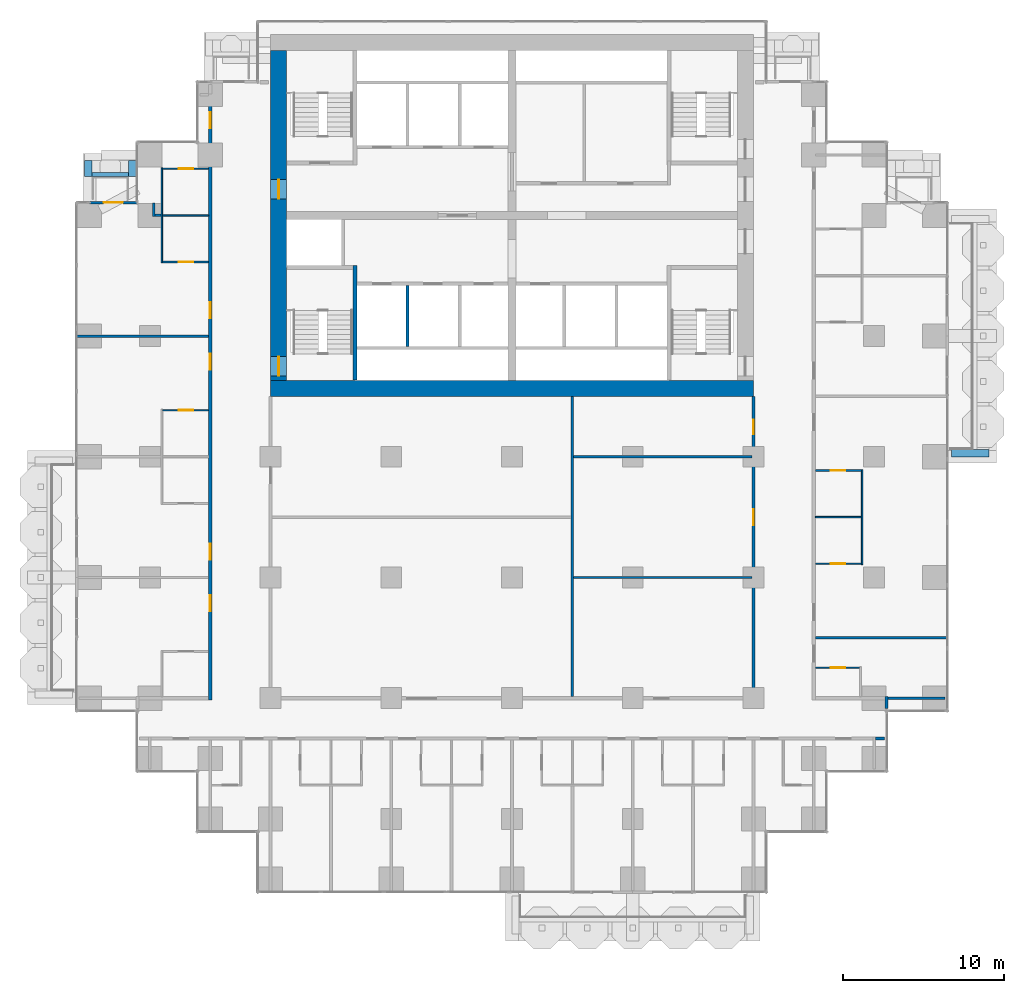
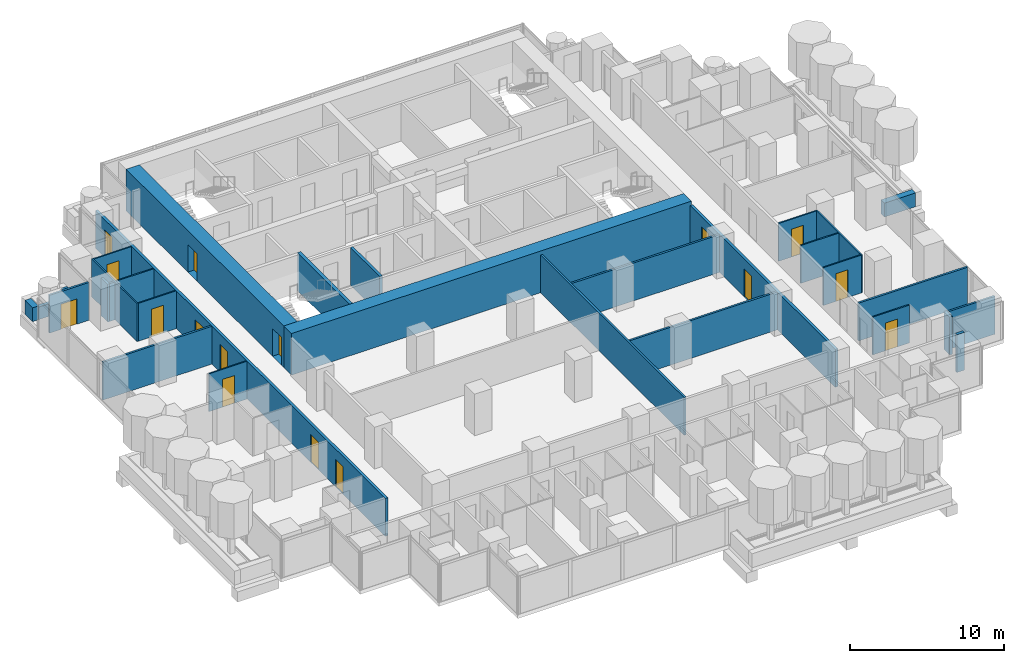
# One storey, part 13 of 19: 31 walls, 16 doors, 16 openings.
"""IFC4 building model written with IfcOpenShell, lengths in metres."""

from ifc_helpers import new_model, si_unit, direction, frame, frame_2d, origin, place, context, subcontext, project, spatial, rectangle, extrude, material, layer, layer_set, type_object, element, fill, save


model = new_model("IFC4")

# Units and contexts
model_context = context("Model", 3, precision=1e-05, world=origin(), true_north=direction((0.0, 1.0)))
body_context = subcontext(model_context, "Body", "Model", "MODEL_VIEW")
ifc_project = project(units=[si_unit("LENGTHUNIT", "METRE"), si_unit("AREAUNIT", "SQUARE_METRE"), si_unit("VOLUMEUNIT", "CUBIC_METRE"), si_unit("PLANEANGLEUNIT", "RADIAN"), si_unit("MASSUNIT", "GRAM", prefix="KILO")], contexts=[model_context])

# Site, building, storey
site_placement = place(None, origin())
site = spatial("IfcSite", under=ifc_project, at=site_placement, CompositionType="ELEMENT")
building_placement = place(site_placement, origin())
building = spatial("IfcBuilding", under=site, at=building_placement, Name="Pilkhan Gate Tower", CompositionType="ELEMENT")
storey_placement = place(building_placement, frame((0.0, 0.0, 72.5)))
storey = spatial("IfcBuildingStorey", under=building, at=storey_placement, Name="L16", CompositionType="ELEMENT", Elevation=72.5)

# Walls
ifc_material_1 = material(Name="Concrete C40/50", Category="concrete")
ifc_layer_1 = layer(ifc_material_1, 0.25)
ifc_layer_set_1 = layer_set([ifc_layer_1], Name="Balcony planter BP250")
wall_type_1 = type_object("IfcWallType", Name="Balcony planter BP250", PredefinedType="USERDEFINED", material=ifc_layer_set_1)
wall_1_placement = place(storey_placement, frame((48.89990234375, 85.02490234375, 0.0), z_axis=(0.0, 0.0, 1.0), x_axis=(1.0, 0.0, 0.0)))
element("IfcWall", 1, at=wall_1_placement, inside=storey, type_object=wall_type_1, Name="Balcony planter L16 N", ObjectType="BALCONY PLANTER", PredefinedType="USERDEFINED", context=body_context, shape_type="SweptSolid", body=[
    extrude(rectangle(XDim=2.280029296875, YDim=0.25, at=frame_2d((1.14013671875, 0.0))), origin(), (0.0, 0.0, 1.0), 1.0),
])
ifc_material_2 = material(Name="Board-marked Concrete C40/50", Category="concrete")
ifc_layer_2 = layer(ifc_material_2, 0.449951171875)
ifc_layer_set_2 = layer_set([ifc_layer_2], Name="Balcony planter lip BL450")
wall_type_2 = type_object("IfcWallType", Name="Balcony planter lip BL450", PredefinedType="USERDEFINED", material=ifc_layer_set_2)
wall_2_placement = place(storey_placement, frame((102.300048828125, 67.72509765625, 0.0), z_axis=(0.0, 0.0, 1.0), x_axis=(1.0, 0.0, 0.0)))
element("IfcWall", 2, at=wall_2_placement, inside=storey, type_object=wall_type_2, Name="Balcony planter L16 E", ObjectType="BALCONY PLANTER", PredefinedType="USERDEFINED", context=body_context, shape_type="SweptSolid", body=[
    extrude(rectangle(XDim=2.349853515625, YDim=0.449951171875, at=frame_2d((1.1748046875, 0.0))), origin(), (0.0, 0.0, 1.0), 1.10009765625),
])
for number, where, z_axis, x_axis, name in (
    (3, (48.675048828125, 84.89990234375, 0.0), (0.0, 0.0, 1.0), (0.0, 1.0, 0.0), "Balcony planter L16 N"),
    (4, (51.405029296875, 84.89990234375, 0.0), (0.0, 0.0, 1.0), (0.0, 1.0, 0.0), "Balcony planter L16 N"),
):
    element("IfcWall", number, at=place(storey_placement, frame(where, z_axis=z_axis, x_axis=x_axis)), inside=storey, type_object=wall_type_2, Name=name, ObjectType="BALCONY PLANTER", PredefinedType="USERDEFINED", context=body_context, shape_type="SweptSolid", body=[
        extrude(rectangle(XDim=1.0, YDim=0.449951171875, at=frame_2d((0.5, 0.0))), origin(), (0.0, 0.0, 1.0), 1.10009765625),
    ])
ifc_material_3 = material(Name="Concrete C70/85", Category="concrete")
ifc_layer_3 = layer(ifc_material_3, 1.0)
ifc_layer_set_3 = layer_set([ifc_layer_3], Name="Core wall CW1000 C70/85")
wall_type_3 = type_object("IfcWallType", Name="Core wall CW1000 C70/85", PredefinedType="SHEAR", material=ifc_layer_set_3)
wall_3_placement = place(storey_placement, frame((60.0, 71.75, 0.0), z_axis=(0.0, 0.0, 1.0), x_axis=(1.0, 0.0, 0.0)))
element("IfcWall", 5, at=wall_3_placement, inside=storey, type_object=wall_type_3, Name="Core wall S L16", PredefinedType="SHEAR", context=body_context, shape_type="SweptSolid", body=[
    extrude(rectangle(XDim=30.0, YDim=1.0, at=frame_2d((15.0, 0.0))), origin(), (0.0, 0.0, 1.0), 3.300048828125),
])

# Wall, openings, doors
wall_4_placement = place(storey_placement, frame((60.5, 92.75, 0.0), z_axis=(0.0, 0.0, 1.0), x_axis=(0.0, -1.0, 0.0)))
wall_4 = element("IfcWall", 6, at=wall_4_placement, inside=storey, type_object=wall_type_3, Name="Core wall W L16", PredefinedType="SHEAR", context=body_context, shape_type="SweptSolid", body=[
    extrude(rectangle(XDim=20.5, YDim=1.0, at=frame_2d((10.25, 0.0))), origin(), (0.0, 0.0, 1.0), 3.300048828125),
])
opening_1_placement = place(wall_4_placement, frame((19.02490234375, 0.0, 0.0)))
opening_1 = element("IfcOpeningElement", 7, at=opening_1_placement, cuts=wall_4, Name="Opening L16-04", PredefinedType="OPENING", context=body_context, shape_type="SweptSolid", body=[
    extrude(rectangle(XDim=1.199951171875, YDim=2.199951171875, at=frame_2d((0.60009765625, 1.10009765625))), frame((0.0, 0.510009765625, 0.0), z_axis=(0.0, -1.0, 0.0), x_axis=(1.0, 0.0, 0.0)), (0.0, 0.0, 1.0), 1.02001953125),
])
opening_2_placement = place(wall_4_placement, frame((8.02490234375, 0.0, 0.0)))
opening_2 = element("IfcOpeningElement", 8, at=opening_2_placement, cuts=wall_4, Name="Opening L16-47", PredefinedType="OPENING", context=body_context, shape_type="SweptSolid", body=[
    extrude(rectangle(XDim=1.199951171875, YDim=2.199951171875, at=frame_2d((0.60009765625, 1.10009765625))), frame((0.0, 0.510009765625, 0.0), z_axis=(0.0, -1.0, 0.0), x_axis=(1.0, 0.0, 0.0)), (0.0, 0.0, 1.0), 1.02001953125),
])
ifc_material_4 = material(Name="Steel door, 120 minute fire resisting, self-closing", Category="steel")
door_type_1 = type_object("IfcDoorType", Name="Firefighting lobby door D10 1200x2200", OperationType="SINGLE_SWING_LEFT", PredefinedType="DOOR", material=ifc_material_4)
door_1_placement = place(opening_2_placement, origin())
door_1 = element("IfcDoor", 9, at=door_1_placement, inside=storey, type_object=door_type_1, Name="Core door", OperationType="SINGLE_SWING_LEFT", OverallHeight=2.199951171875, OverallWidth=1.199951171875, PredefinedType="DOOR", context=body_context, shape_type="SweptSolid", body=[
    extrude(rectangle(XDim=1.199951171875, YDim=2.199951171875, at=frame_2d((0.60009765625, 1.10009765625))), frame((0.0, 0.02490234375, 0.0), z_axis=(0.0, -1.0, 0.0), x_axis=(1.0, 0.0, 0.0)), (0.0, 0.0, 1.0), 0.050048828125),
])
fill(opening_2, door_1)
ifc_material_5 = material(Name="Steel door, 120 minute fire resisting, panic bar", Category="steel")
door_type_2 = type_object("IfcDoorType", Name="Stair door D11 1200x2200", OperationType="SINGLE_SWING_LEFT", PredefinedType="DOOR", material=ifc_material_5)
door_2_placement = place(opening_1_placement, origin())
door_2 = element("IfcDoor", 10, at=door_2_placement, inside=storey, type_object=door_type_2, Name="Stair ST2 door", OperationType="SINGLE_SWING_RIGHT", OverallHeight=2.199951171875, OverallWidth=1.199951171875, PredefinedType="DOOR", context=body_context, shape_type="SweptSolid", body=[
    extrude(rectangle(XDim=1.199951171875, YDim=2.199951171875, at=frame_2d((0.60009765625, 1.10009765625))), frame((0.0, 0.02490234375, 0.0), z_axis=(0.0, -1.0, 0.0), x_axis=(1.0, 0.0, 0.0)), (0.0, 0.0, 1.0), 0.050048828125),
])
fill(opening_1, door_2)

# Wall
ifc_material_6 = material(Name="Dense blockwork", Category="masonry")
ifc_layer_4 = layer(ifc_material_6, 0.199951171875)
ifc_layer_set_4 = layer_set([ifc_layer_4], Name="Corridor wall FW200")
wall_type_4 = type_object("IfcWallType", Name="Corridor wall FW200", PredefinedType="PARTITIONING", material=ifc_layer_set_4)
wall_5_placement = place(storey_placement, frame((97.574951171875, 50.0, 0.0), z_axis=(0.0, 0.0, 1.0), x_axis=(1.0, 0.0, 0.0)))
element("IfcWall", 11, at=wall_5_placement, inside=storey, type_object=wall_type_4, Name="Partition L16", PredefinedType="PARTITIONING", context=body_context, shape_type="SweptSolid", body=[
    extrude(rectangle(XDim=0.570068359375, YDim=0.199951171875, at=frame_2d((0.28515625, 0.0))), origin(), (0.0, 0.0, 1.0), 3.0),
])

# Wall, openings, doors
wall_6_placement = place(storey_placement, frame((56.25, 52.39990234375, 0.0), z_axis=(0.0, 0.0, 1.0), x_axis=(0.0, 1.0, 0.0)))
wall_6 = element("IfcWall", 12, at=wall_6_placement, inside=storey, type_object=wall_type_4, Name="Partition L16", PredefinedType="PARTITIONING", context=body_context, shape_type="SweptSolid", body=[
    extrude(rectangle(XDim=37.675048828125, YDim=0.199951171875, at=frame_2d((18.83740234375, 0.0))), origin(), (0.0, 0.0, 1.0), 3.0),
])
opening_3_placement = place(wall_6_placement, frame((5.5, 0.0, 0.0)))
opening_3 = element("IfcOpeningElement", 13, at=opening_3_placement, cuts=wall_6, Name="Opening L16-26", PredefinedType="OPENING", context=body_context, shape_type="SweptSolid", body=[
    extrude(rectangle(XDim=1.0, YDim=2.199951171875, at=frame_2d((0.5, 1.10009765625))), frame((0.0, 0.10986328125, 0.0), z_axis=(0.0, -1.0, 0.0), x_axis=(1.0, 0.0, 0.0)), (0.0, 0.0, 1.0), 0.219970703125),
])
opening_4_placement = place(wall_6_placement, frame((8.699951171875, 0.0, 0.0)))
opening_4 = element("IfcOpeningElement", 14, at=opening_4_placement, cuts=wall_6, Name="Opening L16-28", PredefinedType="OPENING", context=body_context, shape_type="SweptSolid", body=[
    extrude(rectangle(XDim=1.0, YDim=2.199951171875, at=frame_2d((0.5, 1.10009765625))), frame((0.0, 0.10986328125, 0.0), z_axis=(0.0, -1.0, 0.0), x_axis=(1.0, 0.0, 0.0)), (0.0, 0.0, 1.0), 0.219970703125),
])
opening_5_placement = place(wall_6_placement, frame((20.5, 0.0, 0.0)))
opening_5 = element("IfcOpeningElement", 15, at=opening_5_placement, cuts=wall_6, Name="Opening L16-30", PredefinedType="OPENING", context=body_context, shape_type="SweptSolid", body=[
    extrude(rectangle(XDim=1.0, YDim=2.199951171875, at=frame_2d((0.5, 1.10009765625))), frame((0.0, 0.10986328125, 0.0), z_axis=(0.0, -1.0, 0.0), x_axis=(1.0, 0.0, 0.0)), (0.0, 0.0, 1.0), 0.219970703125),
])
opening_6_placement = place(wall_6_placement, frame((23.699951171875, 0.0, 0.0)))
opening_6 = element("IfcOpeningElement", 16, at=opening_6_placement, cuts=wall_6, Name="Opening L16-32", PredefinedType="OPENING", context=body_context, shape_type="SweptSolid", body=[
    extrude(rectangle(XDim=1.0, YDim=2.199951171875, at=frame_2d((0.5, 1.10009765625))), frame((0.0, 0.10986328125, 0.0), z_axis=(0.0, -1.0, 0.0), x_axis=(1.0, 0.0, 0.0)), (0.0, 0.0, 1.0), 0.219970703125),
])
opening_7_placement = place(wall_6_placement, frame((35.5, 0.0, 0.0)))
opening_7 = element("IfcOpeningElement", 17, at=opening_7_placement, cuts=wall_6, Name="Opening L16-34", PredefinedType="OPENING", context=body_context, shape_type="SweptSolid", body=[
    extrude(rectangle(XDim=1.0, YDim=2.199951171875, at=frame_2d((0.5, 1.10009765625))), frame((0.0, 0.10986328125, 0.0), z_axis=(0.0, -1.0, 0.0), x_axis=(1.0, 0.0, 0.0)), (0.0, 0.0, 1.0), 0.219970703125),
])
ifc_material_7 = material(Name="Timber flush door, 30 minute fire resisting", Category="wood")
door_type_3 = type_object("IfcDoorType", Name="Guest room door D01 1000x2200", OperationType="SINGLE_SWING_LEFT", PredefinedType="DOOR", material=ifc_material_7)
door_3_placement = place(opening_3_placement, origin())
door_3 = element("IfcDoor", 18, at=door_3_placement, inside=storey, type_object=door_type_3, Name="Guest room door", OperationType="SINGLE_SWING_LEFT", OverallHeight=2.199951171875, OverallWidth=1.0, PredefinedType="DOOR", context=body_context, shape_type="SweptSolid", body=[
    extrude(rectangle(XDim=1.0, YDim=2.199951171875, at=frame_2d((0.5, 1.10009765625))), frame((0.0, 0.02490234375, 0.0), z_axis=(0.0, -1.0, 0.0), x_axis=(1.0, 0.0, 0.0)), (0.0, 0.0, 1.0), 0.050048828125),
])
fill(opening_3, door_3)
door_4_placement = place(opening_4_placement, origin())
door_4 = element("IfcDoor", 19, at=door_4_placement, inside=storey, type_object=door_type_3, Name="Guest room door", OperationType="SINGLE_SWING_RIGHT", OverallHeight=2.199951171875, OverallWidth=1.0, PredefinedType="DOOR", context=body_context, shape_type="SweptSolid", body=[
    extrude(rectangle(XDim=1.0, YDim=2.199951171875, at=frame_2d((0.5, 1.10009765625))), frame((0.0, 0.02490234375, 0.0), z_axis=(0.0, -1.0, 0.0), x_axis=(1.0, 0.0, 0.0)), (0.0, 0.0, 1.0), 0.050048828125),
])
fill(opening_4, door_4)
door_5_placement = place(opening_5_placement, origin())
door_5 = element("IfcDoor", 20, at=door_5_placement, inside=storey, type_object=door_type_3, Name="Guest room door", OperationType="SINGLE_SWING_LEFT", OverallHeight=2.199951171875, OverallWidth=1.0, PredefinedType="DOOR", context=body_context, shape_type="SweptSolid", body=[
    extrude(rectangle(XDim=1.0, YDim=2.199951171875, at=frame_2d((0.5, 1.10009765625))), frame((0.0, 0.02490234375, 0.0), z_axis=(0.0, -1.0, 0.0), x_axis=(1.0, 0.0, 0.0)), (0.0, 0.0, 1.0), 0.050048828125),
])
fill(opening_5, door_5)
door_6_placement = place(opening_6_placement, origin())
door_6 = element("IfcDoor", 21, at=door_6_placement, inside=storey, type_object=door_type_3, Name="Guest room door", OperationType="SINGLE_SWING_LEFT", OverallHeight=2.199951171875, OverallWidth=1.0, PredefinedType="DOOR", context=body_context, shape_type="SweptSolid", body=[
    extrude(rectangle(XDim=1.0, YDim=2.199951171875, at=frame_2d((0.5, 1.10009765625))), frame((0.0, 0.02490234375, 0.0), z_axis=(0.0, -1.0, 0.0), x_axis=(1.0, 0.0, 0.0)), (0.0, 0.0, 1.0), 0.050048828125),
])
fill(opening_6, door_6)
door_7_placement = place(opening_7_placement, origin())
door_7 = element("IfcDoor", 22, at=door_7_placement, inside=storey, type_object=door_type_3, Name="Guest room door", OperationType="SINGLE_SWING_LEFT", OverallHeight=2.199951171875, OverallWidth=1.0, PredefinedType="DOOR", context=body_context, shape_type="SweptSolid", body=[
    extrude(rectangle(XDim=1.0, YDim=2.199951171875, at=frame_2d((0.5, 1.10009765625))), frame((0.0, 0.02490234375, 0.0), z_axis=(0.0, -1.0, 0.0), x_axis=(1.0, 0.0, 0.0)), (0.0, 0.0, 1.0), 0.050048828125),
])
fill(opening_7, door_7)

wall_7_placement = place(storey_placement, frame((90.0, 52.39990234375, 0.0), z_axis=(0.0, 0.0, 1.0), x_axis=(0.0, 1.0, 0.0)))
wall_7 = element("IfcWall", 23, at=wall_7_placement, inside=storey, type_object=wall_type_4, Name="Partition L16", PredefinedType="PARTITIONING", context=body_context, shape_type="SweptSolid", body=[
    extrude(rectangle(XDim=18.840087890625, YDim=0.199951171875, at=frame_2d((9.419921875, 0.0))), origin(), (0.0, 0.0, 1.0), 3.0),
])
opening_8_placement = place(wall_7_placement, frame((10.85009765625, 0.0, 0.0)))
opening_8 = element("IfcOpeningElement", 24, at=opening_8_placement, cuts=wall_7, Name="Opening L16-56", PredefinedType="OPENING", context=body_context, shape_type="SweptSolid", body=[
    extrude(rectangle(XDim=1.0, YDim=2.199951171875, at=frame_2d((0.5, 1.10009765625))), frame((0.0, 0.10986328125, 0.0), z_axis=(0.0, -1.0, 0.0), x_axis=(1.0, 0.0, 0.0)), (0.0, 0.0, 1.0), 0.219970703125),
])
opening_9_placement = place(wall_7_placement, frame((16.5, 0.0, 0.0)))
opening_9 = element("IfcOpeningElement", 25, at=opening_9_placement, cuts=wall_7, Name="Opening L16-58", PredefinedType="OPENING", context=body_context, shape_type="SweptSolid", body=[
    extrude(rectangle(XDim=0.89990234375, YDim=2.199951171875, at=frame_2d((0.449951171875, 1.10009765625))), frame((0.0, 0.10986328125, 0.0), z_axis=(0.0, -1.0, 0.0), x_axis=(1.0, 0.0, 0.0)), (0.0, 0.0, 1.0), 0.219970703125),
])
door_type_4 = type_object("IfcDoorType", Name="Room door D03 1000x2200", OperationType="SINGLE_SWING_LEFT", PredefinedType="DOOR", material=ifc_material_7)
door_8_placement = place(opening_8_placement, origin())
door_8 = element("IfcDoor", 26, at=door_8_placement, inside=storey, type_object=door_type_4, Name="Room door", OperationType="SINGLE_SWING_RIGHT", OverallHeight=2.199951171875, OverallWidth=1.0, PredefinedType="DOOR", context=body_context, shape_type="SweptSolid", body=[
    extrude(rectangle(XDim=1.0, YDim=2.199951171875, at=frame_2d((0.5, 1.10009765625))), frame((0.0, 0.02490234375, 0.0), z_axis=(0.0, -1.0, 0.0), x_axis=(1.0, 0.0, 0.0)), (0.0, 0.0, 1.0), 0.050048828125),
])
fill(opening_8, door_8)
ifc_material_8 = material(Name="Timber flush door, 60 minute fire resisting, self-closing", Category="wood")
door_type_5 = type_object("IfcDoorType", Name="Store door D05 900x2200", OperationType="SINGLE_SWING_LEFT", PredefinedType="DOOR", material=ifc_material_8)
door_9_placement = place(opening_9_placement, origin())
door_9 = element("IfcDoor", 27, at=door_9_placement, inside=storey, type_object=door_type_5, Name="Store door", OperationType="SINGLE_SWING_LEFT", OverallHeight=2.199951171875, OverallWidth=0.89990234375, PredefinedType="DOOR", context=body_context, shape_type="SweptSolid", body=[
    extrude(rectangle(XDim=0.89990234375, YDim=2.199951171875, at=frame_2d((0.449951171875, 1.10009765625))), frame((0.0, 0.02490234375, 0.0), z_axis=(0.0, -1.0, 0.0), x_axis=(1.0, 0.0, 0.0)), (0.0, 0.0, 1.0), 0.050048828125),
])
fill(opening_9, door_9)

# Wall
wall_8_placement = place(storey_placement, frame((98.264892578125, 51.85498046875, 0.0), z_axis=(0.0, 0.0, 1.0), x_axis=(0.0, 1.0, 0.0)))
element("IfcWall", 28, at=wall_8_placement, inside=storey, type_object=wall_type_4, Name="Partition L16", PredefinedType="PARTITIONING", context=body_context, shape_type="SweptSolid", body=[
    extrude(rectangle(XDim=0.7451171875, YDim=0.199951171875, at=frame_2d((0.37255859375, 0.0))), origin(), (0.0, 0.0, 1.0), 3.0),
])

# Wall, opening, door
ifc_material_9 = material(Name="Pale anodised aluminium, clear laminated glazing", Category="aluminium")
ifc_layer_5 = layer(ifc_material_9, 0.14990234375)
ifc_layer_set_5 = layer_set([ifc_layer_5], Name="Facade infill wall IW150")
wall_type_5 = type_object("IfcWallType", Name="Facade infill wall IW150", PredefinedType="SOLIDWALL", material=ifc_layer_set_5)
wall_9_placement = place(storey_placement, frame((48.75, 83.294921875, 0.0), z_axis=(0.0, 0.0, 1.0), x_axis=(1.0, 0.0, 0.0)))
wall_9 = element("IfcWall", 29, at=wall_9_placement, inside=storey, type_object=wall_type_5, Name="Infill wall L16 N", PredefinedType="SOLIDWALL", context=body_context, shape_type="SweptSolid", body=[
    extrude(rectangle(XDim=2.955078125, YDim=0.14990234375, at=frame_2d((1.4775390625, 0.0))), origin(), (0.0, 0.0, 1.0), 3.0),
])
opening_10_placement = place(wall_9_placement, frame((0.87744140625, 0.0, 0.0)))
opening_10 = element("IfcOpeningElement", 30, at=opening_10_placement, cuts=wall_9, Name="Opening D1L", PredefinedType="OPENING", context=body_context, shape_type="SweptSolid", body=[
    extrude(rectangle(XDim=1.199951171875, YDim=2.0, at=frame_2d((0.60009765625, 1.0))), frame((0.0, 0.0849609375, 0.0), z_axis=(0.0, -1.0, 0.0), x_axis=(1.0, 0.0, 0.0)), (0.0, 0.0, 1.0), 0.169921875),
])
ifc_material_10 = material(Name="Pale anodised aluminium, clear glazing", Category="aluminium")
door_type_6 = type_object("IfcDoorType", Name="Balcony door D1L 1200x2000", OperationType="SINGLE_SWING_LEFT", PredefinedType="DOOR", material=ifc_material_10)
door_10_placement = place(opening_10_placement, origin())
door_10 = element("IfcDoor", 31, at=door_10_placement, inside=storey, type_object=door_type_6, Name="Balcony door L16", OperationType="SINGLE_SWING_LEFT", OverallHeight=2.0, OverallWidth=1.199951171875, PredefinedType="DOOR", context=body_context, shape_type="SweptSolid", body=[
    extrude(rectangle(XDim=1.199951171875, YDim=2.0, at=frame_2d((0.60009765625, 1.0))), frame((0.0, 0.02490234375, 0.0), z_axis=(0.0, -1.0, 0.0), x_axis=(1.0, 0.0, 0.0)), (0.0, 0.0, 1.0), 0.050048828125),
])
fill(opening_10, door_10)

# Walls
ifc_material_11 = material(Name="Blockwork partition, plastered both sides", Category="masonry")
ifc_layer_6 = layer(ifc_material_11, 0.14990234375)
ifc_layer_set_6 = layer_set([ifc_layer_6], Name="Partition PW150")
wall_type_6 = type_object("IfcWallType", Name="Partition PW150", PredefinedType="PARTITIONING", material=ifc_layer_set_6)
wall_10_placement = place(storey_placement, frame((98.364990234375, 52.5, 0.0), z_axis=(0.0, 0.0, 1.0), x_axis=(1.0, 0.0, 0.0)))
element("IfcWall", 32, at=wall_10_placement, inside=storey, type_object=wall_type_6, Name="Partition L16", PredefinedType="PARTITIONING", context=body_context, shape_type="SweptSolid", body=[
    extrude(rectangle(XDim=3.530029296875, YDim=0.14990234375, at=frame_2d((1.76513671875, 0.0))), origin(), (0.0, 0.0, 1.0), 3.0),
])
wall_11_placement = place(storey_placement, frame((93.85009765625, 56.25, 0.0), z_axis=(0.0, 0.0, 1.0), x_axis=(1.0, 0.0, 0.0)))
element("IfcWall", 33, at=wall_11_placement, inside=storey, type_object=wall_type_6, Name="Partition L16", PredefinedType="PARTITIONING", context=body_context, shape_type="SweptSolid", body=[
    extrude(rectangle(XDim=8.164794921875, YDim=0.14990234375, at=frame_2d((4.08251953125, 0.0))), origin(), (0.0, 0.0, 1.0), 3.0),
])
for number, where, z_axis, x_axis, name in (
    (34, (78.824951171875, 60.0, 0.0), (0.0, 0.0, 1.0), (1.0, 0.0, 0.0), "Partition L16"),
    (35, (78.824951171875, 67.5, 0.0), (0.0, 0.0, 1.0), (1.0, 0.0, 0.0), "Partition L16"),
):
    element("IfcWall", number, at=place(storey_placement, frame(where, z_axis=z_axis, x_axis=x_axis)), inside=storey, type_object=wall_type_6, Name=name, PredefinedType="PARTITIONING", context=body_context, shape_type="SweptSolid", body=[
        extrude(rectangle(XDim=11.074951171875, YDim=0.14990234375, at=frame_2d((5.53759765625, 0.0))), origin(), (0.0, 0.0, 1.0), 3.0),
    ])
wall_12_placement = place(storey_placement, frame((47.985107421875, 75.0, 0.0), z_axis=(0.0, 0.0, 1.0), x_axis=(1.0, 0.0, 0.0)))
element("IfcWall", 36, at=wall_12_placement, inside=storey, type_object=wall_type_6, Name="Partition L16", PredefinedType="PARTITIONING", context=body_context, shape_type="SweptSolid", body=[
    extrude(rectangle(XDim=8.164794921875, YDim=0.14990234375, at=frame_2d((4.08251953125, 0.0))), origin(), (0.0, 0.0, 1.0), 3.0),
])
wall_13_placement = place(storey_placement, frame((52.81005859375, 82.5, 0.0), z_axis=(0.0, 0.0, 1.0), x_axis=(1.0, 0.0, 0.0)))
element("IfcWall", 37, at=wall_13_placement, inside=storey, type_object=wall_type_6, Name="Partition L16", PredefinedType="PARTITIONING", context=body_context, shape_type="SweptSolid", body=[
    extrude(rectangle(XDim=0.389892578125, YDim=0.14990234375, at=frame_2d((0.19482421875, 0.0))), origin(), (0.0, 0.0, 1.0), 3.0),
])
wall_14_placement = place(storey_placement, frame((52.735107421875, 82.425048828125, 0.0), z_axis=(0.0, 0.0, 1.0), x_axis=(0.0, 1.0, 0.0)))
element("IfcWall", 38, at=wall_14_placement, inside=storey, type_object=wall_type_6, Name="Partition L16", PredefinedType="PARTITIONING", context=body_context, shape_type="SweptSolid", body=[
    extrude(rectangle(XDim=0.83984375, YDim=0.14990234375, at=frame_2d((0.419921875, 0.0))), origin(), (0.0, 0.0, 1.0), 3.0),
])
wall_15_placement = place(storey_placement, frame((78.75, 52.60009765625, 0.0), z_axis=(0.0, 0.0, 1.0), x_axis=(0.0, 1.0, 0.0)))
element("IfcWall", 39, at=wall_15_placement, inside=storey, type_object=wall_type_6, Name="Partition L16", PredefinedType="PARTITIONING", context=body_context, shape_type="SweptSolid", body=[
    extrude(rectangle(XDim=18.639892578125, YDim=0.14990234375, at=frame_2d((9.31982421875, 0.0))), origin(), (0.0, 0.0, 1.0), 3.0),
])
ifc_material_12 = material(Name="Reinforced blockwork shaft wall, 120 minute fire resisting", Category="masonry")
ifc_layer_7 = layer(ifc_material_12, 0.199951171875)
ifc_layer_set_7 = layer_set([ifc_layer_7], Name="Shaft wall SW200")
wall_type_7 = type_object("IfcWallType", Name="Shaft wall SW200", PredefinedType="PARTITIONING", material=ifc_layer_set_7)
wall_16_placement = place(storey_placement, frame((68.5, 74.35009765625, 0.0), z_axis=(0.0, 0.0, 1.0), x_axis=(0.0, 1.0, 0.0)))
element("IfcWall", 40, at=wall_16_placement, inside=storey, type_object=wall_type_7, Name="Partition L16", PredefinedType="PARTITIONING", context=body_context, shape_type="SweptSolid", body=[
    extrude(rectangle(XDim=3.7998046875, YDim=0.199951171875, at=frame_2d((1.89990234375, 0.0))), origin(), (0.0, 0.0, 1.0), 3.0),
])
ifc_material_13 = material(Name="Reinforced blockwork, 120 minute fire resisting", Category="masonry")
ifc_layer_8 = layer(ifc_material_13, 0.25)
ifc_layer_set_8 = layer_set([ifc_layer_8], Name="Stair enclosure wall SE250")
wall_type_8 = type_object("IfcWallType", Name="Stair enclosure wall SE250", PredefinedType="PARTITIONING", material=ifc_layer_set_8)
wall_17_placement = place(storey_placement, frame((65.25, 72.260009765625, 0.0), z_axis=(0.0, 0.0, 1.0), x_axis=(0.0, 1.0, 0.0)))
element("IfcWall", 41, at=wall_17_placement, inside=storey, type_object=wall_type_8, Name="Partition L16", PredefinedType="PARTITIONING", context=body_context, shape_type="SweptSolid", body=[
    extrude(rectangle(XDim=7.114990234375, YDim=0.25, at=frame_2d((3.5576171875, 0.0))), origin(), (0.0, 0.0, 1.0), 3.0),
])

# Wall, opening, door
ifc_material_14 = material(Name="Moisture resistant board, tiled")
ifc_layer_9 = layer(ifc_material_14, 0.10009765625)
ifc_layer_set_9 = layer_set([ifc_layer_9], Name="Wet wall PW100")
wall_type_9 = type_object("IfcWallType", Name="Wet wall PW100", PredefinedType="PARTITIONING", material=ifc_layer_set_9)
wall_18_placement = place(storey_placement, frame((93.85009765625, 54.39990234375, 0.0), z_axis=(0.0, 0.0, 1.0), x_axis=(1.0, 0.0, 0.0)))
wall_18 = element("IfcWall", 42, at=wall_18_placement, inside=storey, type_object=wall_type_9, Name="Partition L16", PredefinedType="PARTITIONING", context=body_context, shape_type="SweptSolid", body=[
    extrude(rectangle(XDim=2.75, YDim=0.10009765625, at=frame_2d((1.375, 0.0))), origin(), (0.0, 0.0, 1.0), 3.0),
])
opening_11_placement = place(wall_18_placement, frame((0.949951171875, 0.0, 0.0)))
opening_11 = element("IfcOpeningElement", 43, at=opening_11_placement, cuts=wall_18, Name="Opening L16-37", PredefinedType="OPENING", context=body_context, shape_type="SweptSolid", body=[
    extrude(rectangle(XDim=0.89990234375, YDim=2.199951171875, at=frame_2d((0.449951171875, 1.10009765625))), frame((0.0, 0.06005859375, 0.0), z_axis=(0.0, -1.0, 0.0), x_axis=(1.0, 0.0, 0.0)), (0.0, 0.0, 1.0), 0.1201171875),
])
ifc_material_15 = material(Name="Timber flush door", Category="wood")
door_type_7 = type_object("IfcDoorType", Name="Bathroom door D02 900x2200", OperationType="SINGLE_SWING_RIGHT", PredefinedType="DOOR", material=ifc_material_15)
door_11_placement = place(opening_11_placement, origin())
door_11 = element("IfcDoor", 44, at=door_11_placement, inside=storey, type_object=door_type_7, Name="Bathroom door", OperationType="SINGLE_SWING_RIGHT", OverallHeight=2.199951171875, OverallWidth=0.89990234375, PredefinedType="DOOR", context=body_context, shape_type="SweptSolid", body=[
    extrude(rectangle(XDim=0.89990234375, YDim=2.199951171875, at=frame_2d((0.449951171875, 1.10009765625))), frame((0.0, 0.02490234375, 0.0), z_axis=(0.0, -1.0, 0.0), x_axis=(1.0, 0.0, 0.0)), (0.0, 0.0, 1.0), 0.050048828125),
])
fill(opening_11, door_11)

wall_19_placement = place(storey_placement, frame((93.85009765625, 60.85009765625, 0.0), z_axis=(0.0, 0.0, 1.0), x_axis=(1.0, 0.0, 0.0)))
wall_19 = element("IfcWall", 45, at=wall_19_placement, inside=storey, type_object=wall_type_9, Name="Partition L16", PredefinedType="PARTITIONING", context=body_context, shape_type="SweptSolid", body=[
    extrude(rectangle(XDim=2.849853515625, YDim=0.10009765625, at=frame_2d((1.4248046875, 0.0))), origin(), (0.0, 0.0, 1.0), 3.0),
])
opening_12_placement = place(wall_19_placement, frame((0.949951171875, 0.0, 0.0)))
opening_12 = element("IfcOpeningElement", 46, at=opening_12_placement, cuts=wall_19, Name="Opening L16-39", PredefinedType="OPENING", context=body_context, shape_type="SweptSolid", body=[
    extrude(rectangle(XDim=0.89990234375, YDim=2.199951171875, at=frame_2d((0.449951171875, 1.10009765625))), frame((0.0, 0.06005859375, 0.0), z_axis=(0.0, -1.0, 0.0), x_axis=(1.0, 0.0, 0.0)), (0.0, 0.0, 1.0), 0.1201171875),
])
door_12_placement = place(opening_12_placement, origin())
door_12 = element("IfcDoor", 47, at=door_12_placement, inside=storey, type_object=door_type_7, Name="Bathroom door", OperationType="SINGLE_SWING_RIGHT", OverallHeight=2.199951171875, OverallWidth=0.89990234375, PredefinedType="DOOR", context=body_context, shape_type="SweptSolid", body=[
    extrude(rectangle(XDim=0.89990234375, YDim=2.199951171875, at=frame_2d((0.449951171875, 1.10009765625))), frame((0.0, 0.02490234375, 0.0), z_axis=(0.0, -1.0, 0.0), x_axis=(1.0, 0.0, 0.0)), (0.0, 0.0, 1.0), 0.050048828125),
])
fill(opening_12, door_12)

# Wall
wall_20_placement = place(storey_placement, frame((93.85009765625, 63.75, 0.0), z_axis=(0.0, 0.0, 1.0), x_axis=(1.0, 0.0, 0.0)))
element("IfcWall", 48, at=wall_20_placement, inside=storey, type_object=wall_type_9, Name="Partition L16", PredefinedType="PARTITIONING", context=body_context, shape_type="SweptSolid", body=[
    extrude(rectangle(XDim=2.849853515625, YDim=0.10009765625, at=frame_2d((1.4248046875, 0.0))), origin(), (0.0, 0.0, 1.0), 3.0),
])

# Wall, opening, door
wall_21_placement = place(storey_placement, frame((93.85009765625, 66.64990234375, 0.0), z_axis=(0.0, 0.0, 1.0), x_axis=(1.0, 0.0, 0.0)))
wall_21 = element("IfcWall", 49, at=wall_21_placement, inside=storey, type_object=wall_type_9, Name="Partition L16", PredefinedType="PARTITIONING", context=body_context, shape_type="SweptSolid", body=[
    extrude(rectangle(XDim=2.849853515625, YDim=0.10009765625, at=frame_2d((1.4248046875, 0.0))), origin(), (0.0, 0.0, 1.0), 3.0),
])
opening_13_placement = place(wall_21_placement, frame((0.949951171875, 0.0, 0.0)))
opening_13 = element("IfcOpeningElement", 50, at=opening_13_placement, cuts=wall_21, Name="Opening L16-41", PredefinedType="OPENING", context=body_context, shape_type="SweptSolid", body=[
    extrude(rectangle(XDim=0.89990234375, YDim=2.199951171875, at=frame_2d((0.449951171875, 1.10009765625))), frame((0.0, 0.06005859375, 0.0), z_axis=(0.0, -1.0, 0.0), x_axis=(1.0, 0.0, 0.0)), (0.0, 0.0, 1.0), 0.1201171875),
])
door_13_placement = place(opening_13_placement, origin())
door_13 = element("IfcDoor", 51, at=door_13_placement, inside=storey, type_object=door_type_7, Name="Bathroom door", OperationType="SINGLE_SWING_RIGHT", OverallHeight=2.199951171875, OverallWidth=0.89990234375, PredefinedType="DOOR", context=body_context, shape_type="SweptSolid", body=[
    extrude(rectangle(XDim=0.89990234375, YDim=2.199951171875, at=frame_2d((0.449951171875, 1.10009765625))), frame((0.0, 0.02490234375, 0.0), z_axis=(0.0, -1.0, 0.0), x_axis=(1.0, 0.0, 0.0)), (0.0, 0.0, 1.0), 0.050048828125),
])
fill(opening_13, door_13)

wall_22_placement = place(storey_placement, frame((53.300048828125, 70.39990234375, 0.0), z_axis=(0.0, 0.0, 1.0), x_axis=(1.0, 0.0, 0.0)))
wall_22 = element("IfcWall", 52, at=wall_22_placement, inside=storey, type_object=wall_type_9, Name="Partition L16", PredefinedType="PARTITIONING", context=body_context, shape_type="SweptSolid", body=[
    extrude(rectangle(XDim=2.849853515625, YDim=0.10009765625, at=frame_2d((1.4248046875, 0.0))), origin(), (0.0, 0.0, 1.0), 3.0),
])
opening_14_placement = place(wall_22_placement, frame((1.0, 0.0, 0.0)))
opening_14 = element("IfcOpeningElement", 53, at=opening_14_placement, cuts=wall_22, Name="Opening L16-31", PredefinedType="OPENING", context=body_context, shape_type="SweptSolid", body=[
    extrude(rectangle(XDim=0.89990234375, YDim=2.199951171875, at=frame_2d((0.449951171875, 1.10009765625))), frame((0.0, 0.06005859375, 0.0), z_axis=(0.0, -1.0, 0.0), x_axis=(1.0, 0.0, 0.0)), (0.0, 0.0, 1.0), 0.1201171875),
])
door_14_placement = place(opening_14_placement, origin())
door_14 = element("IfcDoor", 54, at=door_14_placement, inside=storey, type_object=door_type_7, Name="Bathroom door", OperationType="SINGLE_SWING_RIGHT", OverallHeight=2.199951171875, OverallWidth=0.89990234375, PredefinedType="DOOR", context=body_context, shape_type="SweptSolid", body=[
    extrude(rectangle(XDim=0.89990234375, YDim=2.199951171875, at=frame_2d((0.449951171875, 1.10009765625))), frame((0.0, 0.02490234375, 0.0), z_axis=(0.0, -1.0, 0.0), x_axis=(1.0, 0.0, 0.0)), (0.0, 0.0, 1.0), 0.050048828125),
])
fill(opening_14, door_14)

wall_23_placement = place(storey_placement, frame((53.300048828125, 79.60009765625, 0.0), z_axis=(0.0, 0.0, 1.0), x_axis=(1.0, 0.0, 0.0)))
wall_23 = element("IfcWall", 55, at=wall_23_placement, inside=storey, type_object=wall_type_9, Name="Partition L16", PredefinedType="PARTITIONING", context=body_context, shape_type="SweptSolid", body=[
    extrude(rectangle(XDim=2.849853515625, YDim=0.10009765625, at=frame_2d((1.4248046875, 0.0))), origin(), (0.0, 0.0, 1.0), 3.0),
])
opening_15_placement = place(wall_23_placement, frame((1.0, 0.0, 0.0)))
opening_15 = element("IfcOpeningElement", 56, at=opening_15_placement, cuts=wall_23, Name="Opening L16-33", PredefinedType="OPENING", context=body_context, shape_type="SweptSolid", body=[
    extrude(rectangle(XDim=0.89990234375, YDim=2.199951171875, at=frame_2d((0.449951171875, 1.10009765625))), frame((0.0, 0.06005859375, 0.0), z_axis=(0.0, -1.0, 0.0), x_axis=(1.0, 0.0, 0.0)), (0.0, 0.0, 1.0), 0.1201171875),
])
door_15_placement = place(opening_15_placement, origin())
door_15 = element("IfcDoor", 57, at=door_15_placement, inside=storey, type_object=door_type_7, Name="Bathroom door", OperationType="SINGLE_SWING_RIGHT", OverallHeight=2.199951171875, OverallWidth=0.89990234375, PredefinedType="DOOR", context=body_context, shape_type="SweptSolid", body=[
    extrude(rectangle(XDim=0.89990234375, YDim=2.199951171875, at=frame_2d((0.449951171875, 1.10009765625))), frame((0.0, 0.02490234375, 0.0), z_axis=(0.0, -1.0, 0.0), x_axis=(1.0, 0.0, 0.0)), (0.0, 0.0, 1.0), 0.050048828125),
])
fill(opening_15, door_15)

# Wall
wall_24_placement = place(storey_placement, frame((53.300048828125, 82.5, 0.0), z_axis=(0.0, 0.0, 1.0), x_axis=(1.0, 0.0, 0.0)))
element("IfcWall", 58, at=wall_24_placement, inside=storey, type_object=wall_type_9, Name="Partition L16", PredefinedType="PARTITIONING", context=body_context, shape_type="SweptSolid", body=[
    extrude(rectangle(XDim=2.849853515625, YDim=0.10009765625, at=frame_2d((1.4248046875, 0.0))), origin(), (0.0, 0.0, 1.0), 3.0),
])

# Wall, opening, door
wall_25_placement = place(storey_placement, frame((53.300048828125, 85.39990234375, 0.0), z_axis=(0.0, 0.0, 1.0), x_axis=(1.0, 0.0, 0.0)))
wall_25 = element("IfcWall", 59, at=wall_25_placement, inside=storey, type_object=wall_type_9, Name="Partition L16", PredefinedType="PARTITIONING", context=body_context, shape_type="SweptSolid", body=[
    extrude(rectangle(XDim=2.849853515625, YDim=0.10009765625, at=frame_2d((1.4248046875, 0.0))), origin(), (0.0, 0.0, 1.0), 3.0),
])
opening_16_placement = place(wall_25_placement, frame((1.0, 0.0, 0.0)))
opening_16 = element("IfcOpeningElement", 60, at=opening_16_placement, cuts=wall_25, Name="Opening L16-35", PredefinedType="OPENING", context=body_context, shape_type="SweptSolid", body=[
    extrude(rectangle(XDim=0.89990234375, YDim=2.199951171875, at=frame_2d((0.449951171875, 1.10009765625))), frame((0.0, 0.06005859375, 0.0), z_axis=(0.0, -1.0, 0.0), x_axis=(1.0, 0.0, 0.0)), (0.0, 0.0, 1.0), 0.1201171875),
])
door_16_placement = place(opening_16_placement, origin())
door_16 = element("IfcDoor", 61, at=door_16_placement, inside=storey, type_object=door_type_7, Name="Bathroom door", OperationType="SINGLE_SWING_RIGHT", OverallHeight=2.199951171875, OverallWidth=0.89990234375, PredefinedType="DOOR", context=body_context, shape_type="SweptSolid", body=[
    extrude(rectangle(XDim=0.89990234375, YDim=2.199951171875, at=frame_2d((0.449951171875, 1.10009765625))), frame((0.0, 0.02490234375, 0.0), z_axis=(0.0, -1.0, 0.0), x_axis=(1.0, 0.0, 0.0)), (0.0, 0.0, 1.0), 0.050048828125),
])
fill(opening_16, door_16)

# Walls
for number, where, z_axis, x_axis, name in (
    (62, (53.25, 79.550048828125, 0.0), (0.0, 0.0, 1.0), (0.0, 1.0, 0.0), "Partition L16"),
    (63, (96.75, 60.800048828125, 0.0), (0.0, 0.0, 1.0), (0.0, 1.0, 0.0), "Partition L16"),
):
    element("IfcWall", number, at=place(storey_placement, frame(where, z_axis=z_axis, x_axis=x_axis)), inside=storey, type_object=wall_type_9, Name=name, PredefinedType="PARTITIONING", context=body_context, shape_type="SweptSolid", body=[
        extrude(rectangle(XDim=5.89990234375, YDim=0.10009765625, at=frame_2d((2.949951171875, 0.0))), origin(), (0.0, 0.0, 1.0), 3.0),
    ])

save(model, "model.ifc")
